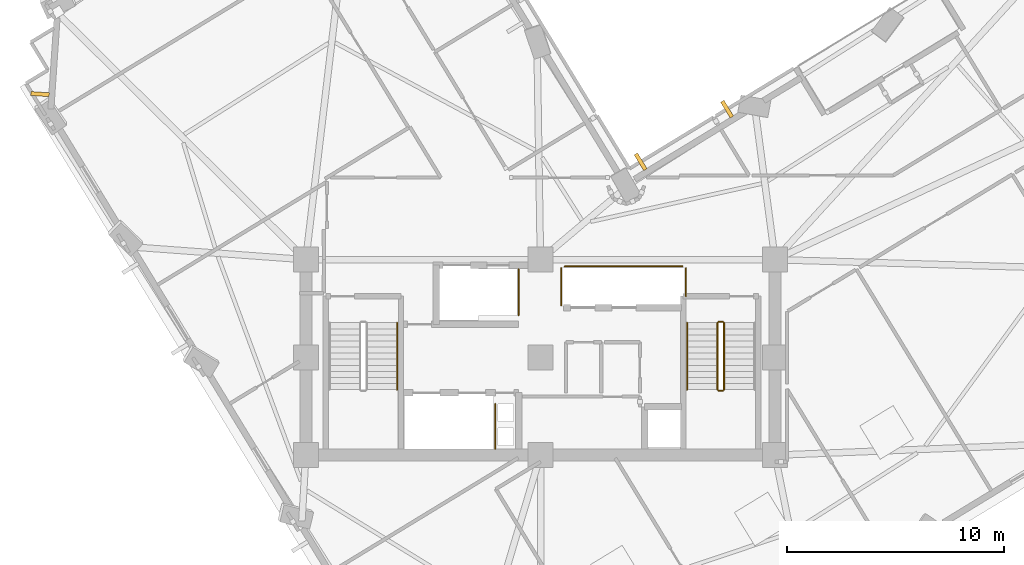
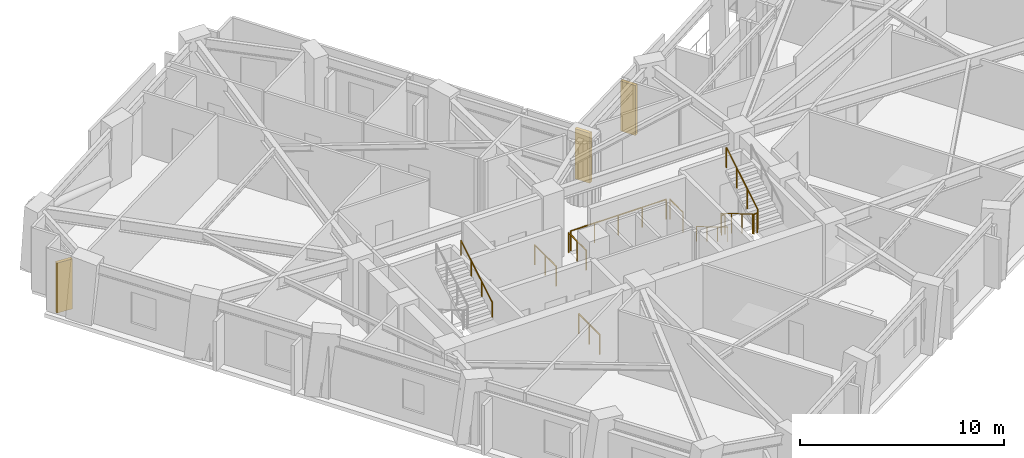
# One storey, part 11 of 14: 11 railings, 3 shading devices.
"""IFC4 building model written with IfcOpenShell, lengths in metres."""

from ifc_helpers import new_model, si_unit, direction, frame, origin, origin_2d, place, context, subcontext, project, spatial, rectangle, circle, extrude, material, type_object, element, save


model = new_model("IFC4")

# Units and contexts
model_context = context("Model", 3, precision=1e-05, world=origin(), true_north=direction((0.0, 1.0)))
body_context = subcontext(model_context, "Body", "Model", "MODEL_VIEW")
ifc_project = project(units=[si_unit("LENGTHUNIT", "METRE"), si_unit("AREAUNIT", "SQUARE_METRE"), si_unit("VOLUMEUNIT", "CUBIC_METRE"), si_unit("PLANEANGLEUNIT", "RADIAN"), si_unit("MASSUNIT", "GRAM", prefix="KILO")], contexts=[model_context])

# Site, building, storey
site_placement = place(None, origin())
site = spatial("IfcSite", under=ifc_project, at=site_placement, CompositionType="ELEMENT")
building_placement = place(site_placement, origin())
building = spatial("IfcBuilding", under=site, at=building_placement, Name="Gaonmaruhae Medical Tower", CompositionType="ELEMENT")
storey_placement = place(building_placement, frame((0.0, 0.0, 157.800048828125)))
storey = spatial("IfcBuildingStorey", under=building, at=storey_placement, Name="L37", CompositionType="ELEMENT", Elevation=157.800048828125)

# Railings
ifc_material_1 = material(Name="Stainless steel 304 handrail", Category="steel")
railing_type_1 = type_object("IfcRailingType", Name="HR-092 Continuous Stainless Steel Stair Handrail", PredefinedType="HANDRAIL", material=ifc_material_1)
railing_1_placement = place(storey_placement, frame((18.199951171875, 10.820068359375, 2.16650390625)))
element("IfcRailing", 1, at=railing_1_placement, inside=storey, type_object=railing_type_1, Name="L37 ST-01 stair handrail 2", PredefinedType="HANDRAIL", context=body_context, shape_type="SweptSolid", body=[
    extrude(circle(Radius=0.02392578125, at=origin_2d()), frame((0.0, 0.0, 0.8759765625), z_axis=(0.0, 0.859260807169, 0.511537745687), x_axis=(-1.0, 0.0, 0.0)), (0.0, 0.0, 1.0), 3.584228515625),
    extrude(circle(Radius=0.02099609375, at=origin_2d()), origin(), (0.0, 0.0, 1.0), 0.851806640625),
    extrude(circle(Radius=0.02099609375, at=origin_2d()), frame((0.0, 1.026611328125, 0.611083984375)), (0.0, 0.0, 1.0), 0.851806640625),
    extrude(circle(Radius=0.02099609375, at=origin_2d()), frame((0.0, 2.05322265625, 1.222412109375)), (0.0, 0.0, 1.0), 0.851806640625),
    extrude(circle(Radius=0.02099609375, at=origin_2d()), frame((0.0, 3.079833984375, 1.83349609375)), (0.0, 0.0, 1.0), 0.851806640625),
])
railing_2_placement = place(storey_placement, frame((31.550048828125, 13.89990234375, 0.16650390625)))
element("IfcRailing", 2, at=railing_2_placement, inside=storey, type_object=railing_type_1, Name="L37 ST-02 stair handrail 1", PredefinedType="HANDRAIL", context=body_context, shape_type="SweptSolid", body=[
    extrude(circle(Radius=0.02392578125, at=origin_2d()), frame((0.0, 0.0, 0.8759765625), z_axis=(0.0, -0.859260807169, 0.511537745687), x_axis=(1.0, 0.0, 0.0)), (0.0, 0.0, 1.0), 3.584228515625),
    extrude(circle(Radius=0.02099609375, at=origin_2d()), origin(), (0.0, 0.0, 1.0), 0.851806640625),
    extrude(circle(Radius=0.02099609375, at=origin_2d()), frame((0.0, -1.026611328125, 0.611083984375)), (0.0, 0.0, 1.0), 0.851806640625),
    extrude(circle(Radius=0.02099609375, at=origin_2d()), frame((0.0, -2.05322265625, 1.222412109375)), (0.0, 0.0, 1.0), 0.851806640625),
    extrude(circle(Radius=0.02099609375, at=origin_2d()), frame((0.0, -3.079833984375, 1.83349609375)), (0.0, 0.0, 1.0), 0.851806640625),
])

# Shading devices
ifc_material_2 = material(Name="Pigmented coral precast concrete C45/55", Category="concrete")
shading_device_type = type_object("IfcShadingDeviceType", Name="SD-FIN1 Tower Vertical Coral Precast Shading Fin", PredefinedType="USERDEFINED", material=ifc_material_2)
for number, where, z_axis, x_axis, name in (
    (3, (29.411376953125, 21.3056640625, 0.08251953125), (0.0, 0.0, 1.0), (0.854005138885, 0.520264569962, 0.0), "L37 Vertical Coral Precast Shading Fin EN03"),
    (4, (33.39111328125, 23.72998046875, 0.08251953125), (0.0, 0.0, 1.0), (0.854005138885, 0.520264569962, 0.0), "L37 Vertical Coral Precast Shading Fin EN03B"),
    (5, (1.765625, 24.42138671875, 0.08251953125), (0.0, 0.0, 1.0), (0.067458068068, 0.997722110135, 0.0), "L37 Vertical Coral Precast Shading Fin N03"),
):
    element("IfcShadingDevice", number, at=place(storey_placement, frame(where, z_axis=z_axis, x_axis=x_axis)), inside=storey, type_object=shading_device_type, Name=name, ObjectType="FIN", PredefinedType="USERDEFINED", context=body_context, shape_type="SweptSolid", body=[
        extrude(rectangle(XDim=0.179931640625, YDim=0.85009765625, at=origin_2d()), origin(), (0.0, 0.0, 1.0), 3.0),
    ])

# Railings
ifc_material_3 = material(Name="Stainless steel 304 balustrade", Category="steel")
railing_type_2 = type_object("IfcRailingType", Name="SG-112 Stair Well & Ramp Void Safety Balustrade", PredefinedType="BALUSTRADE", material=ifc_material_3)
railing_3_placement = place(storey_placement, frame((32.949951171875, 13.89990234375, 0.16650390625)))
element("IfcRailing", 6, at=railing_3_placement, inside=storey, type_object=railing_type_2, Name="L37 ST-02 stair guard 1", PredefinedType="BALUSTRADE", context=body_context, shape_type="SweptSolid", body=[
    extrude(circle(Radius=0.02392578125, at=origin_2d()), frame((0.0, 0.0, 1.17578125), z_axis=(0.0, -0.859260807169, 0.511537745687), x_axis=(1.0, 0.0, 0.0)), (0.0, 0.0, 1.0), 3.584228515625),
    extrude(circle(Radius=0.02099609375, at=origin_2d()), origin(), (0.0, 0.0, 1.0), 1.15185546875),
    extrude(circle(Radius=0.02099609375, at=origin_2d()), frame((0.0, -1.026611328125, 0.611083984375)), (0.0, 0.0, 1.0), 1.15185546875),
    extrude(circle(Radius=0.02099609375, at=origin_2d()), frame((0.0, -2.05322265625, 1.222412109375)), (0.0, 0.0, 1.0), 1.15185546875),
    extrude(circle(Radius=0.02099609375, at=origin_2d()), frame((0.0, -3.079833984375, 1.83349609375)), (0.0, 0.0, 1.0), 1.15185546875),
])
railing_4_placement = place(storey_placement, frame((33.0, 10.77001953125, 2.0)))
element("IfcRailing", 7, at=railing_4_placement, inside=storey, type_object=railing_type_2, Name="L37 ST-02 stair guard 2", PredefinedType="BALUSTRADE", context=body_context, shape_type="SweptSolid", body=[
    extrude(circle(Radius=0.02392578125, at=origin_2d()), frame((0.0, 0.0, 1.17578125), z_axis=(1.0, 0.0, 0.0), x_axis=(0.0, 1.0, 0.0)), (0.0, 0.0, 1.0), 0.199951171875),
    extrude(circle(Radius=0.02099609375, at=origin_2d()), origin(), (0.0, 0.0, 1.0), 1.15185546875),
    extrude(circle(Radius=0.02099609375, at=origin_2d()), frame((0.199951171875, 0.0, 0.0)), (0.0, 0.0, 1.0), 1.15185546875),
])
railing_5_placement = place(storey_placement, frame((33.25, 10.820068359375, 2.16650390625)))
element("IfcRailing", 8, at=railing_5_placement, inside=storey, type_object=railing_type_2, Name="L37 ST-02 stair guard 3", PredefinedType="BALUSTRADE", context=body_context, shape_type="SweptSolid", body=[
    extrude(circle(Radius=0.02392578125, at=origin_2d()), frame((0.0, 0.0, 1.17578125), z_axis=(0.0, 0.859260807169, 0.511537745687), x_axis=(-1.0, 0.0, 0.0)), (0.0, 0.0, 1.0), 3.584228515625),
    extrude(circle(Radius=0.02099609375, at=origin_2d()), origin(), (0.0, 0.0, 1.0), 1.15185546875),
    extrude(circle(Radius=0.02099609375, at=origin_2d()), frame((0.0, 1.026611328125, 0.611083984375)), (0.0, 0.0, 1.0), 1.15185546875),
    extrude(circle(Radius=0.02099609375, at=origin_2d()), frame((0.0, 2.05322265625, 1.222412109375)), (0.0, 0.0, 1.0), 1.15185546875),
    extrude(circle(Radius=0.02099609375, at=origin_2d()), frame((0.0, 3.079833984375, 1.83349609375)), (0.0, 0.0, 1.0), 1.15185546875),
])
railing_6_placement = place(storey_placement, frame((33.0, 13.949951171875, 0.0)))
element("IfcRailing", 9, at=railing_6_placement, inside=storey, type_object=railing_type_2, Name="L37 ST-02 stair guard 4", PredefinedType="BALUSTRADE", context=body_context, shape_type="SweptSolid", body=[
    extrude(circle(Radius=0.02392578125, at=origin_2d()), frame((0.0, 0.0, 1.17578125), z_axis=(1.0, 0.0, 0.0), x_axis=(0.0, 1.0, 0.0)), (0.0, 0.0, 1.0), 0.199951171875),
    extrude(circle(Radius=0.02099609375, at=origin_2d()), origin(), (0.0, 0.0, 1.0), 1.15185546875),
    extrude(circle(Radius=0.02099609375, at=origin_2d()), frame((0.199951171875, 0.0, 0.0)), (0.0, 0.0, 1.0), 1.15185546875),
])
railing_7_placement = place(storey_placement, frame((22.719970703125, 10.159912109375, 0.0)))
element("IfcRailing", 10, at=railing_7_placement, inside=storey, type_object=railing_type_2, Name="L37 Shaft Edge Safety Guard 12", PredefinedType="BALUSTRADE", context=body_context, shape_type="SweptSolid", body=[
    extrude(circle(Radius=0.02392578125, at=origin_2d()), frame((0.0, 0.0, 1.17578125), z_axis=(0.0, -1.0, 0.0), x_axis=(1.0, 0.0, 0.0)), (0.0, 0.0, 1.0), 2.06494140625),
    extrude(circle(Radius=0.02099609375, at=origin_2d()), origin(), (0.0, 0.0, 1.0), 1.15185546875),
    extrude(circle(Radius=0.02099609375, at=origin_2d()), frame((0.0, -1.032470703125, 0.0)), (0.0, 0.0, 1.0), 1.15185546875),
    extrude(circle(Radius=0.02099609375, at=origin_2d()), frame((0.0, -2.06494140625, 0.0)), (0.0, 0.0, 1.0), 1.15185546875),
])
railing_8_placement = place(storey_placement, frame((23.794921875, 16.35498046875, 0.0)))
element("IfcRailing", 11, at=railing_8_placement, inside=storey, type_object=railing_type_2, Name="L37 Shaft Edge Safety Guard 13", PredefinedType="BALUSTRADE", context=body_context, shape_type="SweptSolid", body=[
    extrude(circle(Radius=0.02392578125, at=origin_2d()), frame((0.0, 0.0, 1.17578125), z_axis=(0.0, -1.0, 0.0), x_axis=(1.0, 0.0, 0.0)), (0.0, 0.0, 1.0), 2.10986328125),
    extrude(circle(Radius=0.02099609375, at=origin_2d()), origin(), (0.0, 0.0, 1.0), 1.15185546875),
    extrude(circle(Radius=0.02099609375, at=origin_2d()), frame((0.0, -1.054931640625, 0.0)), (0.0, 0.0, 1.0), 1.15185546875),
    extrude(circle(Radius=0.02099609375, at=origin_2d()), frame((0.0, -2.10986328125, 0.0)), (0.0, 0.0, 1.0), 1.15185546875),
])
railing_9_placement = place(storey_placement, frame((31.4951171875, 16.405029296875, 0.0)))
element("IfcRailing", 12, at=railing_9_placement, inside=storey, type_object=railing_type_2, Name="L37 Shaft Edge Safety Guard 14", PredefinedType="BALUSTRADE", context=body_context, shape_type="SweptSolid", body=[
    extrude(circle(Radius=0.02392578125, at=origin_2d()), frame((0.0, 0.0, 1.17578125), z_axis=(0.0, -1.0, 0.0), x_axis=(1.0, 0.0, 0.0)), (0.0, 0.0, 1.0), 1.284912109375),
    extrude(circle(Radius=0.02099609375, at=origin_2d()), origin(), (0.0, 0.0, 1.0), 1.15185546875),
    extrude(circle(Radius=0.02099609375, at=origin_2d()), frame((0.0, -1.284912109375, 0.0)), (0.0, 0.0, 1.0), 1.15185546875),
])
railing_10_placement = place(storey_placement, frame((25.7548828125, 14.695068359375, 0.0)))
element("IfcRailing", 13, at=railing_10_placement, inside=storey, type_object=railing_type_2, Name="L37 Shaft Edge Safety Guard 15", PredefinedType="BALUSTRADE", context=body_context, shape_type="SweptSolid", body=[
    extrude(circle(Radius=0.02392578125, at=origin_2d()), frame((0.0, 0.0, 1.17578125), z_axis=(0.0, 1.0, 0.0), x_axis=(-1.0, 0.0, 0.0)), (0.0, 0.0, 1.0), 1.7099609375),
    extrude(circle(Radius=0.02099609375, at=origin_2d()), origin(), (0.0, 0.0, 1.0), 1.15185546875),
    extrude(circle(Radius=0.02099609375, at=origin_2d()), frame((0.0, 0.85498046875, 0.0)), (0.0, 0.0, 1.0), 1.15185546875),
    extrude(circle(Radius=0.02099609375, at=origin_2d()), frame((0.0, 1.7099609375, 0.0)), (0.0, 0.0, 1.0), 1.15185546875),
])
railing_11_placement = place(storey_placement, frame((25.919921875, 16.4951171875, 0.0)))
element("IfcRailing", 14, at=railing_11_placement, inside=storey, type_object=railing_type_2, Name="L37 Shaft Edge Safety Guard 16", PredefinedType="BALUSTRADE", context=body_context, shape_type="SweptSolid", body=[
    extrude(circle(Radius=0.02392578125, at=origin_2d()), frame((0.0, 0.0, 1.17578125), z_axis=(1.0, 0.0, 0.0), x_axis=(0.0, 1.0, 0.0)), (0.0, 0.0, 1.0), 5.41015625),
    extrude(circle(Radius=0.02099609375, at=origin_2d()), origin(), (0.0, 0.0, 1.0), 1.15185546875),
    extrude(circle(Radius=0.02099609375, at=origin_2d()), frame((1.3525390625, 0.0, 0.0)), (0.0, 0.0, 1.0), 1.15185546875),
    extrude(circle(Radius=0.02099609375, at=origin_2d()), frame((2.705078125, 0.0, 0.0)), (0.0, 0.0, 1.0), 1.15185546875),
    extrude(circle(Radius=0.02099609375, at=origin_2d()), frame((4.0576171875, 0.0, 0.0)), (0.0, 0.0, 1.0), 1.15185546875),
    extrude(circle(Radius=0.02099609375, at=origin_2d()), frame((5.41015625, 0.0, 0.0)), (0.0, 0.0, 1.0), 1.15185546875),
])

save(model, "model.ifc")
